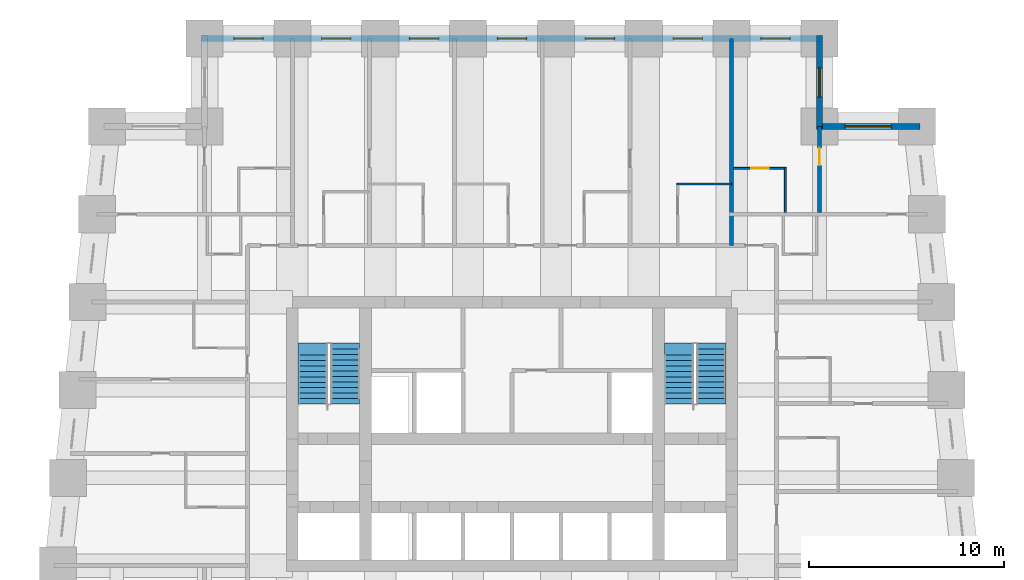
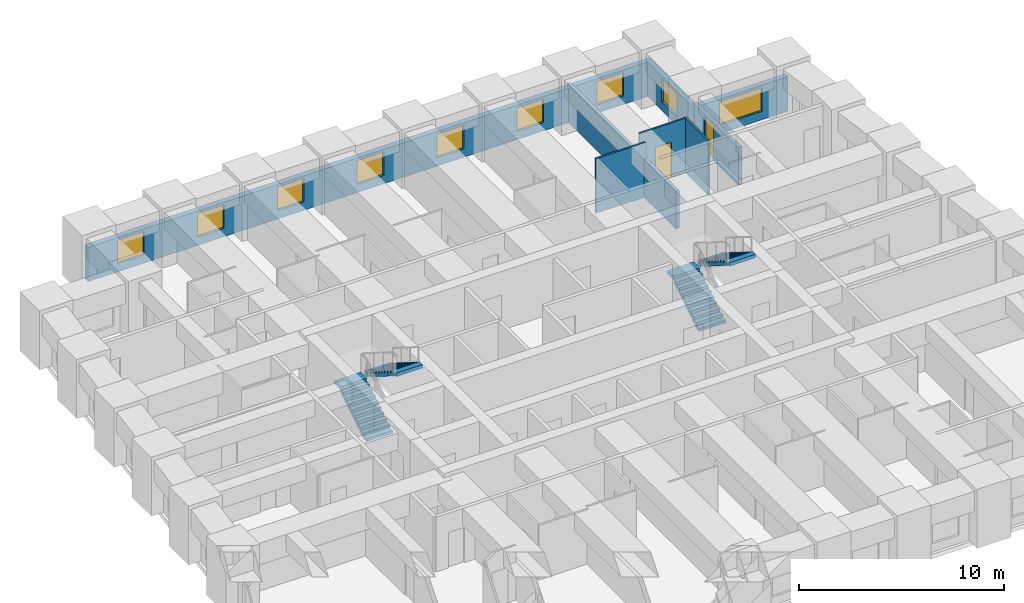
# One storey, part 7 of 8: 9 windows, 8 walls, 4 stair flights, 2 doors, 11 openings, 2 elements without a shape of their own.
"""IFC4 building model written with IfcOpenShell, lengths in metres."""

from ifc_helpers import new_model, si_unit, direction, frame, frame_2d, origin, place, context, subcontext, project, spatial, polyline, rectangle, outline, extrude, material, layer, layer_set, type_object, element, fill, aggregate, save


model = new_model("IFC4")

# Units and contexts
model_context = context("Model", 3, precision=1e-05, world=origin(), true_north=direction((0.0, 1.0)))
body_context = subcontext(model_context, "Body", "Model", "MODEL_VIEW")
ifc_project = project(units=[si_unit("LENGTHUNIT", "METRE"), si_unit("AREAUNIT", "SQUARE_METRE"), si_unit("VOLUMEUNIT", "CUBIC_METRE"), si_unit("PLANEANGLEUNIT", "RADIAN"), si_unit("MASSUNIT", "GRAM", prefix="KILO")], contexts=[model_context])

# Site, building, storey
site_placement = place(None, origin())
site = spatial("IfcSite", under=ifc_project, at=site_placement, CompositionType="ELEMENT")
building_placement = place(site_placement, origin())
building = spatial("IfcBuilding", under=site, at=building_placement, Name="Kilele Tower Hotel", CompositionType="ELEMENT")
storey_placement = place(building_placement, frame((0.0, 0.0, 61.199951171875)))
storey = spatial("IfcBuildingStorey", under=building, at=storey_placement, Name="L14", CompositionType="ELEMENT", Elevation=61.199951171875)

# Walls
ifc_material_1 = material(Name="Moisture-resistant board")
ifc_layer_1 = layer(ifc_material_1, 0.10009765625)
ifc_layer_set_1 = layer_set([ifc_layer_1], Name="Moisture-resistant board")
wall_type_1 = type_object("IfcWallType", Name="Bathroom partition 100", PredefinedType="PLUMBINGWALL", material=ifc_layer_set_1)
wall_1_placement = place(storey_placement, frame((33.199951171875, 33.050048828125, 0.0), z_axis=(0.0, 0.0, 1.0), x_axis=(1.0, 0.0, 0.0)))
element("IfcWall", 1, at=wall_1_placement, inside=storey, type_object=wall_type_1, Name="Bathroom partition 100 L14", PredefinedType="PLUMBINGWALL", context=body_context, shape_type="SweptSolid", body=[
    extrude(rectangle(XDim=2.800048828125, YDim=0.10009765625, at=frame_2d((1.39990234375, 0.0))), origin(), (0.0, 0.0, 1.0), 3.25),
])
wall_2_placement = place(storey_placement, frame((38.75, 31.60009765625, 0.0), z_axis=(0.0, 0.0, 1.0), x_axis=(0.0, 1.0, 0.0)))
element("IfcWall", 2, at=wall_2_placement, inside=storey, type_object=wall_type_1, Name="Bathroom partition 100 L14", PredefinedType="PLUMBINGWALL", context=body_context, shape_type="SweptSolid", body=[
    extrude(rectangle(XDim=2.2998046875, YDim=0.10009765625, at=frame_2d((1.14990234375, 0.0))), origin(), (0.0, 0.0, 1.0), 3.25),
])

# Wall, opening, door
wall_3_placement = place(storey_placement, frame((36.10009765625, 33.85009765625, 0.0), z_axis=(0.0, 0.0, 1.0), x_axis=(1.0, 0.0, 0.0)))
wall_3 = element("IfcWall", 3, at=wall_3_placement, inside=storey, type_object=wall_type_1, Name="Bathroom partition 100 L14", PredefinedType="PLUMBINGWALL", context=body_context, shape_type="SweptSolid", body=[
    extrude(rectangle(XDim=2.699951171875, YDim=0.10009765625, at=frame_2d((1.35009765625, 0.0))), origin(), (0.0, 0.0, 1.0), 3.25),
])
opening_1_placement = place(wall_3_placement, frame((0.89990234375, 0.0, 0.0)))
opening_1 = element("IfcOpeningElement", 4, at=opening_1_placement, cuts=wall_3, Name="Opening D2A", PredefinedType="OPENING", context=body_context, shape_type="SweptSolid", body=[
    extrude(rectangle(XDim=0.89990234375, YDim=2.10009765625, at=frame_2d((0.449951171875, 1.050048828125))), frame((0.0, 0.06005859375, 0.0), z_axis=(0.0, -1.0, 0.0), x_axis=(1.0, 0.0, 0.0)), (0.0, 0.0, 1.0), 0.1201171875),
])
ifc_material_2 = material(Name="Timber door leaf in hardwood frame", Category="wood")
door_type_1 = type_object("IfcDoorType", Name="Bathroom door 900", OperationType="SINGLE_SWING_LEFT", PredefinedType="DOOR", material=ifc_material_2)
door_1_placement = place(opening_1_placement, origin())
door_1 = element("IfcDoor", 5, at=door_1_placement, inside=storey, type_object=door_type_1, Name="Bathroom door 1424B", OperationType="SINGLE_SWING_LEFT", OverallHeight=2.10009765625, OverallWidth=0.89990234375, PredefinedType="DOOR", context=body_context, shape_type="SweptSolid", body=[
    extrude(rectangle(XDim=0.89990234375, YDim=2.10009765625, at=frame_2d((0.449951171875, 1.050048828125))), frame((0.0, 0.02490234375, 0.0), z_axis=(0.0, -1.0, 0.0), x_axis=(1.0, 0.0, 0.0)), (0.0, 0.0, 1.0), 0.050048828125),
])
fill(opening_1, door_1)

ifc_material_3 = material(Name="Blockwork, plastered both sides", Category="masonry")
ifc_layer_2 = layer(ifc_material_3, 0.199951171875)
ifc_layer_set_2 = layer_set([ifc_layer_2], Name="Blockwork, plastered both sides")
wall_type_2 = type_object("IfcWallType", Name="Partition wall 200", PredefinedType="PARTITIONING", material=ifc_layer_set_2)
wall_4_placement = place(storey_placement, frame((40.5, 31.60009765625, 0.0), z_axis=(0.0, 0.0, 1.0), x_axis=(0.0, 1.0, 0.0)))
wall_4 = element("IfcWall", 6, at=wall_4_placement, inside=storey, type_object=wall_type_2, Name="Partition wall 200 L14", PredefinedType="PARTITIONING", context=body_context, shape_type="SweptSolid", body=[
    extrude(rectangle(XDim=4.39990234375, YDim=0.199951171875, at=frame_2d((2.199951171875, 0.0))), origin(), (0.0, 0.0, 1.0), 2.25),
])
opening_2_placement = place(wall_4_placement, frame((2.39990234375, 0.0, 0.0)))
opening_2 = element("IfcOpeningElement", 7, at=opening_2_placement, cuts=wall_4, Name="Opening D3", PredefinedType="OPENING", context=body_context, shape_type="SweptSolid", body=[
    extrude(rectangle(XDim=0.89990234375, YDim=2.10009765625, at=frame_2d((0.449951171875, 1.050048828125))), frame((0.0, 0.10986328125, 0.0), z_axis=(0.0, -1.0, 0.0), x_axis=(1.0, 0.0, 0.0)), (0.0, 0.0, 1.0), 0.219970703125),
])
ifc_material_4 = material(Name="Timber door leaf in hardwood frame", Category="wood")
door_type_2 = type_object("IfcDoorType", Name="Suite internal door 900", OperationType="SINGLE_SWING_LEFT", PredefinedType="DOOR", material=ifc_material_4)
door_2_placement = place(opening_2_placement, origin())
door_2 = element("IfcDoor", 8, at=door_2_placement, inside=storey, type_object=door_type_2, Name="Suite door 1425", OperationType="SINGLE_SWING_RIGHT", OverallHeight=2.10009765625, OverallWidth=0.89990234375, PredefinedType="DOOR", context=body_context, shape_type="SweptSolid", body=[
    extrude(rectangle(XDim=0.89990234375, YDim=2.10009765625, at=frame_2d((0.449951171875, 1.050048828125))), frame((0.0, 0.02490234375, 0.0), z_axis=(0.0, -1.0, 0.0), x_axis=(1.0, 0.0, 0.0)), (0.0, 0.0, 1.0), 0.050048828125),
])
fill(opening_2, door_2)

# Wall
ifc_material_5 = material(Name="Blockwork, plastered both sides", Category="masonry")
ifc_layer_3 = layer(ifc_material_5, 0.199951171875)
ifc_layer_set_3 = layer_set([ifc_layer_3], Name="Blockwork, plastered both sides")
wall_type_3 = type_object("IfcWallType", Name="Party wall 200", PredefinedType="PARTITIONING", material=ifc_layer_set_3)
wall_5_placement = place(storey_placement, frame((36.0, 29.89990234375, 0.0), z_axis=(0.0, 0.0, 1.0), x_axis=(0.0, 1.0, 0.0)))
element("IfcWall", 9, at=wall_5_placement, inside=storey, type_object=wall_type_3, Name="Party wall 200 L14", PredefinedType="PARTITIONING", context=body_context, shape_type="SweptSolid", body=[
    extrude(rectangle(XDim=10.60009765625, YDim=0.199951171875, at=frame_2d((5.300048828125, 0.0))), origin(), (0.0, 0.0, 1.0), 2.25),
])

# Wall, opening, window
ifc_material_6 = material(Name="Concrete C40/50 precast", Category="concrete")
ifc_layer_4 = layer(ifc_material_6, 0.260009765625, Name="Precast backing", Category="LoadBearing")
ifc_material_7 = material(Name="Reconstituted stone finish", Category="masonry")
ifc_layer_5 = layer(ifc_material_7, 0.0400390625, Name="Face mix", Category="Finish")
ifc_layer_set_4 = layer_set([ifc_layer_4, ifc_layer_5], Name="Precast concrete C40/50, reconstituted stone finish")
wall_type_4 = type_object("IfcWallType", Name="Precast stone facade wall 300", PredefinedType="STANDARD", material=ifc_layer_set_4)
wall_6_placement = place(storey_placement, frame((45.64990234375, 36.0, 0.0), z_axis=(0.0, 0.0, 1.0), x_axis=(-1.0, 0.0, 0.0)))
wall_6 = element("IfcWall", 10, at=wall_6_placement, inside=storey, type_object=wall_type_4, Name="Facade wall L14 edge 7", PredefinedType="STANDARD", context=body_context, shape_type="SweptSolid", body=[
    extrude(rectangle(XDim=5.2998046875, YDim=0.300048828125, at=frame_2d((2.64990234375, 0.0))), origin(), (0.0, 0.0, 1.0), 2.050048828125),
])
opening_3_placement = place(wall_6_placement, frame((1.449951171875, 0.0, 0.5)))
opening_3 = element("IfcOpeningElement", 11, at=opening_3_placement, cuts=wall_6, Name="Opening W1", PredefinedType="OPENING", context=body_context, shape_type="SweptSolid", body=[
    extrude(rectangle(XDim=2.39990234375, YDim=1.39990234375, at=frame_2d((1.199951171875, 0.699951171875))), frame((0.0, 0.159912109375, 0.0), z_axis=(0.0, -1.0, 0.0), x_axis=(1.0, 0.0, 0.0)), (0.0, 0.0, 1.0), 0.320068359375),
])
ifc_material_8 = material(Name="Aluminium frame, clear double glazing", Category="aluminium")
window_type_1 = type_object("IfcWindowType", Name="Window W1 2400 x 1400", PartitioningType="SINGLE_PANEL", PredefinedType="WINDOW", material=ifc_material_8)
window_1_placement = place(opening_3_placement, origin())
window_1 = element("IfcWindow", 12, at=window_1_placement, inside=storey, type_object=window_type_1, Name="Window L14", OverallHeight=1.39990234375, OverallWidth=2.39990234375, PartitioningType="SINGLE_PANEL", PredefinedType="WINDOW", context=body_context, shape_type="SweptSolid", body=[
    extrude(rectangle(XDim=2.39990234375, YDim=1.39990234375, at=frame_2d((1.199951171875, 0.699951171875))), frame((0.0, 0.030029296875, 0.0), z_axis=(0.0, -1.0, 0.0), x_axis=(1.0, 0.0, 0.0)), (0.0, 0.0, 1.0), 0.06005859375),
])
fill(opening_3, window_1)

wall_7_placement = place(storey_placement, frame((40.5, 35.85009765625, 0.0), z_axis=(0.0, 0.0, 1.0), x_axis=(0.0, 1.0, 0.0)))
wall_7 = element("IfcWall", 13, at=wall_7_placement, inside=storey, type_object=wall_type_4, Name="Facade wall L14 edge 8", PredefinedType="STANDARD", context=body_context, shape_type="SweptSolid", body=[
    extrude(rectangle(XDim=4.7998046875, YDim=0.300048828125, at=frame_2d((2.39990234375, 0.0))), origin(), (0.0, 0.0, 1.0), 2.050048828125),
])
opening_4_placement = place(wall_7_placement, frame((1.64990234375, 0.0, 0.5)))
opening_4 = element("IfcOpeningElement", 14, at=opening_4_placement, cuts=wall_7, Name="Opening W1", PredefinedType="OPENING", context=body_context, shape_type="SweptSolid", body=[
    extrude(rectangle(XDim=1.5, YDim=1.39990234375, at=frame_2d((0.75, 0.699951171875))), frame((0.0, 0.159912109375, 0.0), z_axis=(0.0, -1.0, 0.0), x_axis=(1.0, 0.0, 0.0)), (0.0, 0.0, 1.0), 0.320068359375),
])
ifc_material_9 = material(Name="Aluminium frame, clear double glazing", Category="aluminium")
window_type_2 = type_object("IfcWindowType", Name="Window W1 1500 x 1400", PartitioningType="SINGLE_PANEL", PredefinedType="WINDOW", material=ifc_material_9)
window_2_placement = place(opening_4_placement, origin())
window_2 = element("IfcWindow", 15, at=window_2_placement, inside=storey, type_object=window_type_2, Name="Window L14", OverallHeight=1.39990234375, OverallWidth=1.5, PartitioningType="SINGLE_PANEL", PredefinedType="WINDOW", context=body_context, shape_type="SweptSolid", body=[
    extrude(rectangle(XDim=1.5, YDim=1.39990234375, at=frame_2d((0.75, 0.699951171875))), frame((0.0, 0.030029296875, 0.0), z_axis=(0.0, -1.0, 0.0), x_axis=(1.0, 0.0, 0.0)), (0.0, 0.0, 1.0), 0.06005859375),
])
fill(opening_4, window_2)

# Wall, openings, windows
wall_8_placement = place(storey_placement, frame((40.64990234375, 40.5, 0.0), z_axis=(0.0, 0.0, 1.0), x_axis=(-1.0, 0.0, 0.0)))
wall_8 = element("IfcWall", 16, at=wall_8_placement, inside=storey, type_object=wall_type_4, Name="Facade wall L14 edge 9", PredefinedType="STANDARD", context=body_context, shape_type="SweptSolid", body=[
    extrude(rectangle(XDim=31.7998046875, YDim=0.300048828125, at=frame_2d((15.89990234375, 0.0))), origin(), (0.0, 0.0, 1.0), 2.050048828125),
])
opening_5_placement = place(wall_8_placement, frame((1.64990234375, 0.0, 0.5)))
opening_5 = element("IfcOpeningElement", 17, at=opening_5_placement, cuts=wall_8, Name="Opening W1", PredefinedType="OPENING", context=body_context, shape_type="SweptSolid", body=[
    extrude(rectangle(XDim=1.5, YDim=1.39990234375, at=frame_2d((0.75, 0.699951171875))), frame((0.0, 0.159912109375, 0.0), z_axis=(0.0, -1.0, 0.0), x_axis=(1.0, 0.0, 0.0)), (0.0, 0.0, 1.0), 0.320068359375),
])
opening_6_placement = place(wall_8_placement, frame((6.14990234375, 0.0, 0.5)))
opening_6 = element("IfcOpeningElement", 18, at=opening_6_placement, cuts=wall_8, Name="Opening W1", PredefinedType="OPENING", context=body_context, shape_type="SweptSolid", body=[
    extrude(rectangle(XDim=1.5, YDim=1.39990234375, at=frame_2d((0.75, 0.699951171875))), frame((0.0, 0.159912109375, 0.0), z_axis=(0.0, -1.0, 0.0), x_axis=(1.0, 0.0, 0.0)), (0.0, 0.0, 1.0), 0.320068359375),
])
opening_7_placement = place(wall_8_placement, frame((10.64990234375, 0.0, 0.5)))
opening_7 = element("IfcOpeningElement", 19, at=opening_7_placement, cuts=wall_8, Name="Opening W1", PredefinedType="OPENING", context=body_context, shape_type="SweptSolid", body=[
    extrude(rectangle(XDim=1.5, YDim=1.39990234375, at=frame_2d((0.75, 0.699951171875))), frame((0.0, 0.159912109375, 0.0), z_axis=(0.0, -1.0, 0.0), x_axis=(1.0, 0.0, 0.0)), (0.0, 0.0, 1.0), 0.320068359375),
])
opening_8_placement = place(wall_8_placement, frame((15.14990234375, 0.0, 0.5)))
opening_8 = element("IfcOpeningElement", 20, at=opening_8_placement, cuts=wall_8, Name="Opening W1", PredefinedType="OPENING", context=body_context, shape_type="SweptSolid", body=[
    extrude(rectangle(XDim=1.5, YDim=1.39990234375, at=frame_2d((0.75, 0.699951171875))), frame((0.0, 0.159912109375, 0.0), z_axis=(0.0, -1.0, 0.0), x_axis=(1.0, 0.0, 0.0)), (0.0, 0.0, 1.0), 0.320068359375),
])
opening_9_placement = place(wall_8_placement, frame((19.64990234375, 0.0, 0.5)))
opening_9 = element("IfcOpeningElement", 21, at=opening_9_placement, cuts=wall_8, Name="Opening W1", PredefinedType="OPENING", context=body_context, shape_type="SweptSolid", body=[
    extrude(rectangle(XDim=1.5, YDim=1.39990234375, at=frame_2d((0.75, 0.699951171875))), frame((0.0, 0.159912109375, 0.0), z_axis=(0.0, -1.0, 0.0), x_axis=(1.0, 0.0, 0.0)), (0.0, 0.0, 1.0), 0.320068359375),
])
opening_10_placement = place(wall_8_placement, frame((24.14990234375, 0.0, 0.5)))
opening_10 = element("IfcOpeningElement", 22, at=opening_10_placement, cuts=wall_8, Name="Opening W1", PredefinedType="OPENING", context=body_context, shape_type="SweptSolid", body=[
    extrude(rectangle(XDim=1.5, YDim=1.39990234375, at=frame_2d((0.75, 0.699951171875))), frame((0.0, 0.159912109375, 0.0), z_axis=(0.0, -1.0, 0.0), x_axis=(1.0, 0.0, 0.0)), (0.0, 0.0, 1.0), 0.320068359375),
])
opening_11_placement = place(wall_8_placement, frame((28.64990234375, 0.0, 0.5)))
opening_11 = element("IfcOpeningElement", 23, at=opening_11_placement, cuts=wall_8, Name="Opening W1", PredefinedType="OPENING", context=body_context, shape_type="SweptSolid", body=[
    extrude(rectangle(XDim=1.5, YDim=1.39990234375, at=frame_2d((0.75, 0.699951171875))), frame((0.0, 0.159912109375, 0.0), z_axis=(0.0, -1.0, 0.0), x_axis=(1.0, 0.0, 0.0)), (0.0, 0.0, 1.0), 0.320068359375),
])
window_3_placement = place(opening_5_placement, origin())
window_3 = element("IfcWindow", 24, at=window_3_placement, inside=storey, type_object=window_type_2, Name="Window L14", OverallHeight=1.39990234375, OverallWidth=1.5, PartitioningType="SINGLE_PANEL", PredefinedType="WINDOW", context=body_context, shape_type="SweptSolid", body=[
    extrude(rectangle(XDim=1.5, YDim=1.39990234375, at=frame_2d((0.75, 0.699951171875))), frame((0.0, 0.030029296875, 0.0), z_axis=(0.0, -1.0, 0.0), x_axis=(1.0, 0.0, 0.0)), (0.0, 0.0, 1.0), 0.06005859375),
])
fill(opening_5, window_3)
window_4_placement = place(opening_6_placement, origin())
window_4 = element("IfcWindow", 25, at=window_4_placement, inside=storey, type_object=window_type_2, Name="Window L14", OverallHeight=1.39990234375, OverallWidth=1.5, PartitioningType="SINGLE_PANEL", PredefinedType="WINDOW", context=body_context, shape_type="SweptSolid", body=[
    extrude(rectangle(XDim=1.5, YDim=1.39990234375, at=frame_2d((0.75, 0.699951171875))), frame((0.0, 0.030029296875, 0.0), z_axis=(0.0, -1.0, 0.0), x_axis=(1.0, 0.0, 0.0)), (0.0, 0.0, 1.0), 0.06005859375),
])
fill(opening_6, window_4)
window_5_placement = place(opening_7_placement, origin())
window_5 = element("IfcWindow", 26, at=window_5_placement, inside=storey, type_object=window_type_2, Name="Window L14", OverallHeight=1.39990234375, OverallWidth=1.5, PartitioningType="SINGLE_PANEL", PredefinedType="WINDOW", context=body_context, shape_type="SweptSolid", body=[
    extrude(rectangle(XDim=1.5, YDim=1.39990234375, at=frame_2d((0.75, 0.699951171875))), frame((0.0, 0.030029296875, 0.0), z_axis=(0.0, -1.0, 0.0), x_axis=(1.0, 0.0, 0.0)), (0.0, 0.0, 1.0), 0.06005859375),
])
fill(opening_7, window_5)
window_6_placement = place(opening_8_placement, origin())
window_6 = element("IfcWindow", 27, at=window_6_placement, inside=storey, type_object=window_type_2, Name="Window L14", OverallHeight=1.39990234375, OverallWidth=1.5, PartitioningType="SINGLE_PANEL", PredefinedType="WINDOW", context=body_context, shape_type="SweptSolid", body=[
    extrude(rectangle(XDim=1.5, YDim=1.39990234375, at=frame_2d((0.75, 0.699951171875))), frame((0.0, 0.030029296875, 0.0), z_axis=(0.0, -1.0, 0.0), x_axis=(1.0, 0.0, 0.0)), (0.0, 0.0, 1.0), 0.06005859375),
])
fill(opening_8, window_6)
window_7_placement = place(opening_9_placement, origin())
window_7 = element("IfcWindow", 28, at=window_7_placement, inside=storey, type_object=window_type_2, Name="Window L14", OverallHeight=1.39990234375, OverallWidth=1.5, PartitioningType="SINGLE_PANEL", PredefinedType="WINDOW", context=body_context, shape_type="SweptSolid", body=[
    extrude(rectangle(XDim=1.5, YDim=1.39990234375, at=frame_2d((0.75, 0.699951171875))), frame((0.0, 0.030029296875, 0.0), z_axis=(0.0, -1.0, 0.0), x_axis=(1.0, 0.0, 0.0)), (0.0, 0.0, 1.0), 0.06005859375),
])
fill(opening_9, window_7)
window_8_placement = place(opening_10_placement, origin())
window_8 = element("IfcWindow", 29, at=window_8_placement, inside=storey, type_object=window_type_2, Name="Window L14", OverallHeight=1.39990234375, OverallWidth=1.5, PartitioningType="SINGLE_PANEL", PredefinedType="WINDOW", context=body_context, shape_type="SweptSolid", body=[
    extrude(rectangle(XDim=1.5, YDim=1.39990234375, at=frame_2d((0.75, 0.699951171875))), frame((0.0, 0.030029296875, 0.0), z_axis=(0.0, -1.0, 0.0), x_axis=(1.0, 0.0, 0.0)), (0.0, 0.0, 1.0), 0.06005859375),
])
fill(opening_10, window_8)
window_9_placement = place(opening_11_placement, origin())
window_9 = element("IfcWindow", 30, at=window_9_placement, inside=storey, type_object=window_type_2, Name="Window L14", OverallHeight=1.39990234375, OverallWidth=1.5, PartitioningType="SINGLE_PANEL", PredefinedType="WINDOW", context=body_context, shape_type="SweptSolid", body=[
    extrude(rectangle(XDim=1.5, YDim=1.39990234375, at=frame_2d((0.75, 0.699951171875))), frame((0.0, 0.030029296875, 0.0), z_axis=(0.0, -1.0, 0.0), x_axis=(1.0, 0.0, 0.0)), (0.0, 0.0, 1.0), 0.06005859375),
])
fill(opening_11, window_9)

# Stair, stair flights
ifc_material_10 = material(Name="Precast concrete C40/50", Category="concrete")
stair_type = type_object("IfcStairType", Name="Stair 1475 x 3500", PredefinedType="HALF_TURN_STAIR", material=ifc_material_10)
stair_1_placement = place(storey_placement, origin())
stair_1 = element("IfcStair", 31, at=stair_1_placement, inside=storey, type_object=stair_type, Name="Stair 1 L14", PredefinedType="HALF_TURN_STAIR")
ifc_material_11 = material(Name="Precast concrete C40/50", Category="concrete")
stair_flight_type = type_object("IfcStairFlightType", Name="Flight 1475 riser 175.0", PredefinedType="STRAIGHT", material=ifc_material_11)
stair_flight_1_placement = place(storey_placement, frame((14.53759765625, 21.77490234375, 0.0), z_axis=(0.0, 0.0, 1.0), x_axis=(0.0, 1.0, 0.0)))
stair_flight_1 = element("IfcStairFlight", 32, at=stair_flight_1_placement, type_object=stair_flight_type, Name="ST1 flight 1", NumberOfRisers=10, NumberOfTreads=9, PredefinedType="STRAIGHT", RiserHeight=0.175, TreadLength=0.28, context=body_context, shape_type="SweptSolid", body=[
    extrude(outline(polyline([(0.0, 0.0), (0.0, 0.175048828125), (0.280029296875, 0.175048828125), (0.280029296875, 0.35009765625), (0.56005859375, 0.35009765625), (0.56005859375, 0.52490234375), (0.840087890625, 0.52490234375), (0.840087890625, 0.699951171875), (1.1201171875, 0.699951171875), (1.1201171875, 0.875), (1.39990234375, 0.875), (1.39990234375, 1.050048828125), (1.679931640625, 1.050048828125), (1.679931640625, 1.22509765625), (1.9599609375, 1.22509765625), (1.9599609375, 1.39990234375), (2.239990234375, 1.39990234375), (2.239990234375, 1.574951171875), (2.52001953125, 1.574951171875), (2.52001953125, 1.75), (2.52001953125, 1.398193359375), (0.28271484375, 0.0), (0.0, 0.0)])), frame((0.0, 0.737548828125, 0.0), z_axis=(0.0, -1.0, 0.0), x_axis=(1.0, 0.0, 0.0)), (0.0, 0.0, 1.0), 1.47509765625),
    extrude(outline(polyline([(2.52001953125, 0.737548828125), (2.52001953125, -0.7373046875), (3.1201171875, -0.7373046875), (3.1201171875, 0.737548828125), (2.52001953125, 0.737548828125)])), frame((0.0, 0.0, 1.550048828125)), (0.0, 0.0, 1.0), 0.199951171875),
])
stair_flight_2_placement = place(storey_placement, frame((16.21240234375, 24.594970703125, 1.75), z_axis=(0.0, 0.0, 1.0), x_axis=(0.0, -1.0, 0.0)))
stair_flight_2 = element("IfcStairFlight", 33, at=stair_flight_2_placement, type_object=stair_flight_type, Name="ST1 flight 2", NumberOfRisers=10, NumberOfTreads=9, PredefinedType="STRAIGHT", RiserHeight=0.175, TreadLength=0.28, context=body_context, shape_type="SweptSolid", body=[
    extrude(outline(polyline([(0.0, 0.0), (0.0, 0.175048828125), (0.280029296875, 0.175048828125), (0.280029296875, 0.35009765625), (0.56005859375, 0.35009765625), (0.56005859375, 0.52490234375), (0.840087890625, 0.52490234375), (0.840087890625, 0.699951171875), (1.1201171875, 0.699951171875), (1.1201171875, 0.875), (1.39990234375, 0.875), (1.39990234375, 1.050048828125), (1.679931640625, 1.050048828125), (1.679931640625, 1.22509765625), (1.9599609375, 1.22509765625), (1.9599609375, 1.39990234375), (2.239990234375, 1.39990234375), (2.239990234375, 1.574951171875), (2.52001953125, 1.574951171875), (2.52001953125, 1.75), (2.52001953125, 1.398193359375), (0.28271484375, 0.0), (0.0, 0.0)])), frame((0.0, 0.737548828125, 0.0), z_axis=(0.0, -1.0, 0.0), x_axis=(1.0, 0.0, 0.0)), (0.0, 0.0, 1.0), 1.47509765625),
    extrude(outline(polyline([(0.0, -0.7373046875), (0.0, 0.737548828125), (-0.300048828125, 0.737548828125), (-0.300048828125, -0.7373046875), (0.0, -0.7373046875)])), frame((0.0, 0.0, -0.199951171875)), (0.0, 0.0, 1.0), 0.199951171875),
    extrude(outline(polyline([(2.820068359375, -0.7373046875), (2.820068359375, 0.737548828125), (2.52001953125, 0.737548828125), (2.52001953125, -0.7373046875), (2.820068359375, -0.7373046875)])), frame((0.0, 0.0, 1.550048828125)), (0.0, 0.0, 1.0), 0.199951171875),
])
aggregate(stair_1, [stair_flight_1, stair_flight_2])

stair_2_placement = place(storey_placement, origin())
stair_2 = element("IfcStair", 34, at=stair_2_placement, inside=storey, type_object=stair_type, Name="Stair 2 L14", PredefinedType="HALF_TURN_STAIR")
stair_flight_3_placement = place(storey_placement, frame((33.28759765625, 21.77490234375, 0.0), z_axis=(0.0, 0.0, 1.0), x_axis=(0.0, 1.0, 0.0)))
stair_flight_3 = element("IfcStairFlight", 35, at=stair_flight_3_placement, type_object=stair_flight_type, Name="ST2 flight 1", NumberOfRisers=10, NumberOfTreads=9, PredefinedType="STRAIGHT", RiserHeight=0.175, TreadLength=0.28, context=body_context, shape_type="SweptSolid", body=[
    extrude(outline(polyline([(0.0, 0.0), (0.0, 0.175048828125), (0.280029296875, 0.175048828125), (0.280029296875, 0.35009765625), (0.56005859375, 0.35009765625), (0.56005859375, 0.52490234375), (0.840087890625, 0.52490234375), (0.840087890625, 0.699951171875), (1.1201171875, 0.699951171875), (1.1201171875, 0.875), (1.39990234375, 0.875), (1.39990234375, 1.050048828125), (1.679931640625, 1.050048828125), (1.679931640625, 1.22509765625), (1.9599609375, 1.22509765625), (1.9599609375, 1.39990234375), (2.239990234375, 1.39990234375), (2.239990234375, 1.574951171875), (2.52001953125, 1.574951171875), (2.52001953125, 1.75), (2.52001953125, 1.398193359375), (0.28271484375, 0.0), (0.0, 0.0)])), frame((0.0, 0.737548828125, 0.0), z_axis=(0.0, -1.0, 0.0), x_axis=(1.0, 0.0, 0.0)), (0.0, 0.0, 1.0), 1.47509765625),
    extrude(outline(polyline([(2.52001953125, 0.737548828125), (2.52001953125, -0.7373046875), (3.1201171875, -0.7373046875), (3.1201171875, 0.737548828125), (2.52001953125, 0.737548828125)])), frame((0.0, 0.0, 1.550048828125)), (0.0, 0.0, 1.0), 0.199951171875),
])
stair_flight_4_placement = place(storey_placement, frame((34.96240234375, 24.594970703125, 1.75), z_axis=(0.0, 0.0, 1.0), x_axis=(0.0, -1.0, 0.0)))
stair_flight_4 = element("IfcStairFlight", 36, at=stair_flight_4_placement, type_object=stair_flight_type, Name="ST2 flight 2", NumberOfRisers=10, NumberOfTreads=9, PredefinedType="STRAIGHT", RiserHeight=0.175, TreadLength=0.28, context=body_context, shape_type="SweptSolid", body=[
    extrude(outline(polyline([(0.0, 0.0), (0.0, 0.175048828125), (0.280029296875, 0.175048828125), (0.280029296875, 0.35009765625), (0.56005859375, 0.35009765625), (0.56005859375, 0.52490234375), (0.840087890625, 0.52490234375), (0.840087890625, 0.699951171875), (1.1201171875, 0.699951171875), (1.1201171875, 0.875), (1.39990234375, 0.875), (1.39990234375, 1.050048828125), (1.679931640625, 1.050048828125), (1.679931640625, 1.22509765625), (1.9599609375, 1.22509765625), (1.9599609375, 1.39990234375), (2.239990234375, 1.39990234375), (2.239990234375, 1.574951171875), (2.52001953125, 1.574951171875), (2.52001953125, 1.75), (2.52001953125, 1.398193359375), (0.28271484375, 0.0), (0.0, 0.0)])), frame((0.0, 0.737548828125, 0.0), z_axis=(0.0, -1.0, 0.0), x_axis=(1.0, 0.0, 0.0)), (0.0, 0.0, 1.0), 1.47509765625),
    extrude(outline(polyline([(0.0, -0.7373046875), (0.0, 0.737548828125), (-0.300048828125, 0.737548828125), (-0.300048828125, -0.7373046875), (0.0, -0.7373046875)])), frame((0.0, 0.0, -0.199951171875)), (0.0, 0.0, 1.0), 0.199951171875),
    extrude(outline(polyline([(2.820068359375, -0.7373046875), (2.820068359375, 0.737548828125), (2.52001953125, 0.737548828125), (2.52001953125, -0.7373046875), (2.820068359375, -0.7373046875)])), frame((0.0, 0.0, 1.550048828125)), (0.0, 0.0, 1.0), 0.199951171875),
])
aggregate(stair_2, [stair_flight_3, stair_flight_4])

save(model, "model.ifc")
